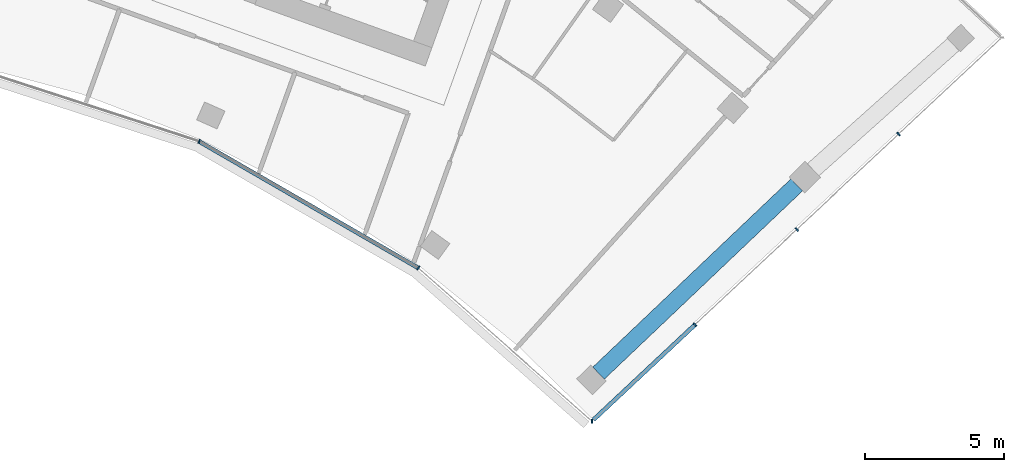
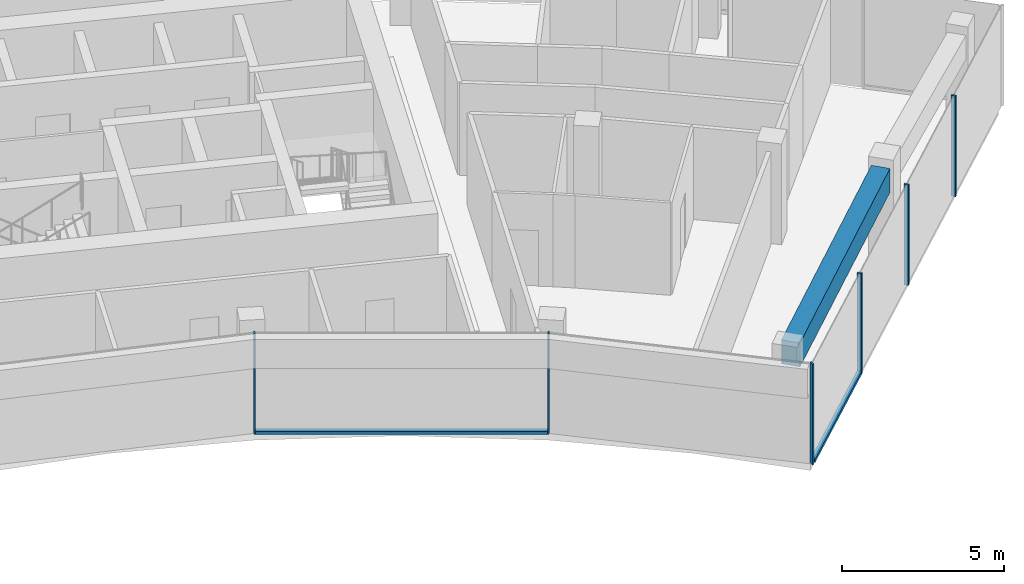
# One storey, part 8 of 18: 8 members, 1 beam, 2 elements without a shape of their own.
"""IFC4 building model written with IfcOpenShell, lengths in metres."""

from ifc_helpers import new_model, si_unit, direction, frame, origin, origin_2d, place, context, subcontext, project, spatial, rectangle, extrude, material, layer, layer_set, material_profile, profile_set, type_object, element, aggregate, save


model = new_model("IFC4")

# Units and contexts
model_context = context("Model", 3, precision=1e-05, world=origin(), true_north=direction((0.0, 1.0)))
body_context = subcontext(model_context, "Body", "Model", "MODEL_VIEW")
ifc_project = project(units=[si_unit("LENGTHUNIT", "METRE"), si_unit("AREAUNIT", "SQUARE_METRE"), si_unit("VOLUMEUNIT", "CUBIC_METRE"), si_unit("PLANEANGLEUNIT", "RADIAN"), si_unit("MASSUNIT", "GRAM", prefix="KILO")], contexts=[model_context])

# Site, building, storey
site_placement = place(None, origin())
site = spatial("IfcSite", under=ifc_project, at=site_placement, CompositionType="ELEMENT")
building_placement = place(site_placement, origin())
building = spatial("IfcBuilding", under=site, at=building_placement, Name="Stone Belt Terrace Tower", CompositionType="ELEMENT")
storey_placement = place(building_placement, frame((0.0, 0.0, 273.199951171875)))
storey = spatial("IfcBuildingStorey", under=building, at=storey_placement, Name="L66", CompositionType="ELEMENT", Elevation=273.199951171875)

# Curtain wall, members
ifc_material_1 = material(Name="Aluminium 6063-T6 anodised frame", Category="aluminium")
ifc_layer_1 = layer(ifc_material_1, 0.14990234375)
ifc_layer_set_1 = layer_set([ifc_layer_1], Name="CW-B unitised concave-face curtain wall")
curtain_wall_type_1 = type_object("IfcCurtainWallType", Name="CW-B unitised concave-face curtain wall", PredefinedType="NOTDEFINED", material=ifc_layer_set_1)
curtain_wall_1_placement = place(storey_placement, origin())
curtain_wall_1 = element("IfcCurtainWall", 1, at=curtain_wall_1_placement, inside=storey, type_object=curtain_wall_type_1, Name="CW-B concave face L66", PredefinedType="NOTDEFINED")
ifc_material_profile_1 = material_profile(ifc_material_1, rectangle(XDim=0.14990234375, YDim=0.050048828125, at=origin_2d()), Name="Aluminium 6063-T6 50x150")
ifc_profile_set_1 = profile_set([ifc_material_profile_1], Name="Aluminium 6063-T6 anodised frame")
member_type_1 = type_object("IfcMemberType", Name="CW-B mullion 50 x 150", PredefinedType="MULLION", material=ifc_profile_set_1)
member_1_placement = place(storey_placement, frame((17.662353515625, 39.67041015625, 0.0), z_axis=(0.0, 0.0, 1.0), x_axis=(0.406736643076, 0.913545457643, 0.0)))
member_1 = element("IfcMember", 2, at=member_1_placement, type_object=member_type_1, Name="CW-B mullion 7", PredefinedType="MULLION", context=body_context, shape_type="SweptSolid", body=[
    extrude(rectangle(XDim=0.14990234375, YDim=0.050048828125, at=origin_2d()), origin(), (0.0, 0.0, 1.0), 3.800048828125),
])
member_2_placement = place(storey_placement, frame((25.524658203125, 35.131103515625, 0.0), z_axis=(0.0, 0.0, 1.0), x_axis=(0.583818854632, 0.811883947973, 0.0)))
member_2 = element("IfcMember", 3, at=member_2_placement, type_object=member_type_1, Name="CW-B mullion 8", PredefinedType="MULLION", context=body_context, shape_type="SweptSolid", body=[
    extrude(rectangle(XDim=0.14990234375, YDim=0.050048828125, at=origin_2d()), origin(), (0.0, 0.0, 1.0), 3.800048828125),
])
ifc_material_profile_2 = material_profile(ifc_material_1, rectangle(XDim=0.14990234375, YDim=0.1201171875, at=origin_2d()), Name="Aluminium 6063-T6 150x120")
ifc_profile_set_2 = profile_set([ifc_material_profile_2], Name="Aluminium 6063-T6 anodised frame")
member_type_2 = type_object("IfcMemberType", Name="CW-B transom 120 x 150", PredefinedType="USERDEFINED", material=ifc_profile_set_2)
member_3_placement = place(storey_placement, frame((17.690673828125, 39.654052734375, 0.06005859375), z_axis=(0.866020948727, -0.500007716307, 0.0), x_axis=(0.500007716307, 0.866020948727, 0.0)))
member_3 = element("IfcMember", 4, at=member_3_placement, type_object=member_type_2, Name="CW-B transom 7.1", ObjectType="TRANSOM", PredefinedType="USERDEFINED", context=body_context, shape_type="SweptSolid", body=[
    extrude(rectangle(XDim=0.14990234375, YDim=0.1201171875, at=origin_2d()), origin(), (0.0, 0.0, 1.0), 9.013427734375),
])
aggregate(curtain_wall_1, [member_1, member_2, member_3])

ifc_layer_2 = layer(ifc_material_1, 0.14990234375)
ifc_layer_set_2 = layer_set([ifc_layer_2], Name="CW-C stick curtain wall, horn ends and notches")
curtain_wall_type_2 = type_object("IfcCurtainWallType", Name="CW-C stick curtain wall, horn ends and notches", PredefinedType="NOTDEFINED", material=ifc_layer_set_2)
curtain_wall_2_placement = place(storey_placement, origin())
curtain_wall_2 = element("IfcCurtainWall", 5, at=curtain_wall_2_placement, inside=storey, type_object=curtain_wall_type_2, Name="CW-C end face L66", PredefinedType="NOTDEFINED")
ifc_material_profile_3 = material_profile(ifc_material_1, rectangle(XDim=0.14990234375, YDim=0.06005859375, at=origin_2d()), Name="Aluminium 6063-T6 60x150")
ifc_profile_set_3 = profile_set([ifc_material_profile_3], Name="Aluminium 6063-T6 anodised frame")
member_type_3 = type_object("IfcMemberType", Name="CW-C mullion 60 x 150", PredefinedType="MULLION", material=ifc_profile_set_3)
member_4_placement = place(storey_placement, frame((31.75244140625, 29.633056640625, 0.0), z_axis=(0.0, 0.0, 1.0), x_axis=(-0.014681639593, 0.999892218921, 0.0)))
member_4 = element("IfcMember", 6, at=member_4_placement, type_object=member_type_3, Name="CW-C mullion 1", PredefinedType="MULLION", context=body_context, shape_type="SweptSolid", body=[
    extrude(rectangle(XDim=0.14990234375, YDim=0.06005859375, at=origin_2d()), origin(), (0.0, 0.0, 1.0), 3.800048828125),
])
member_5_placement = place(storey_placement, frame((35.45166015625, 33.097412109375, 0.0), z_axis=(0.0, 0.0, 1.0), x_axis=(-0.683549434973, 0.729904219708, 0.0)))
member_5 = element("IfcMember", 7, at=member_5_placement, type_object=member_type_3, Name="CW-C mullion 2", PredefinedType="MULLION", context=body_context, shape_type="SweptSolid", body=[
    extrude(rectangle(XDim=0.14990234375, YDim=0.06005859375, at=origin_2d()), origin(), (0.0, 0.0, 1.0), 3.800048828125),
])
member_6_placement = place(storey_placement, frame((39.10107421875, 36.51513671875, 0.0), z_axis=(0.0, 0.0, 1.0), x_axis=(-0.683549434973, 0.729904219708, 0.0)))
member_6 = element("IfcMember", 8, at=member_6_placement, type_object=member_type_3, Name="CW-C mullion 3", PredefinedType="MULLION", context=body_context, shape_type="SweptSolid", body=[
    extrude(rectangle(XDim=0.14990234375, YDim=0.06005859375, at=origin_2d()), origin(), (0.0, 0.0, 1.0), 3.800048828125),
])
member_7_placement = place(storey_placement, frame((42.750732421875, 39.932861328125, 0.0), z_axis=(0.0, 0.0, 1.0), x_axis=(-0.683549434973, 0.729904219708, 0.0)))
member_7 = element("IfcMember", 9, at=member_7_placement, type_object=member_type_3, Name="CW-C mullion 4", PredefinedType="MULLION", context=body_context, shape_type="SweptSolid", body=[
    extrude(rectangle(XDim=0.14990234375, YDim=0.06005859375, at=origin_2d()), origin(), (0.0, 0.0, 1.0), 3.800048828125),
])
ifc_material_profile_4 = material_profile(ifc_material_1, rectangle(XDim=0.14990234375, YDim=0.1201171875, at=origin_2d()), Name="Aluminium 6063-T6 150x120")
ifc_profile_set_4 = profile_set([ifc_material_profile_4], Name="Aluminium 6063-T6 anodised frame")
member_type_4 = type_object("IfcMemberType", Name="CW-C transom 120 x 150", PredefinedType="USERDEFINED", material=ifc_profile_set_4)
member_8_placement = place(storey_placement, frame((31.805419921875, 29.6826171875, 0.06005859375), z_axis=(0.72988516347, 0.683569782938, 0.0), x_axis=(-0.683569782938, 0.72988516347, 0.0)))
member_8 = element("IfcMember", 10, at=member_8_placement, type_object=member_type_4, Name="CW-C transom 1.1", ObjectType="TRANSOM", PredefinedType="USERDEFINED", context=body_context, shape_type="SweptSolid", body=[
    extrude(rectangle(XDim=0.14990234375, YDim=0.1201171875, at=origin_2d()), origin(), (0.0, 0.0, 1.0), 4.965576171875),
])
aggregate(curtain_wall_2, [member_4, member_5, member_6, member_7, member_8])

# Beam
ifc_material_2 = material(Name="Concrete B60", Category="concrete")
ifc_material_profile_5 = material_profile(ifc_material_2, rectangle(XDim=0.60009765625, YDim=0.89990234375, at=origin_2d()), Name="RC 600x900")
ifc_profile_set_5 = profile_set([ifc_material_profile_5], Name="Concrete B60")
beam_type = type_object("IfcBeamType", Name="Edge beam RC 600x900 B60", PredefinedType="SPANDREL", material=ifc_profile_set_5)
beam_placement = place(storey_placement, frame((31.98876953125, 31.35791015625, 3.030029296875), z_axis=(0.72502367576, 0.688723942946, 0.0), x_axis=(-0.688723942946, 0.72502367576, 0.0)))
element("IfcBeam", 11, at=beam_placement, inside=storey, type_object=beam_type, Name="Edge beam L66 B P to Q", PredefinedType="SPANDREL", context=body_context, shape_type="SweptSolid", body=[
    extrude(rectangle(XDim=0.60009765625, YDim=0.89990234375, at=origin_2d()), origin(), (0.0, 0.0, 1.0), 9.80615234375),
])

save(model, "model.ifc")
